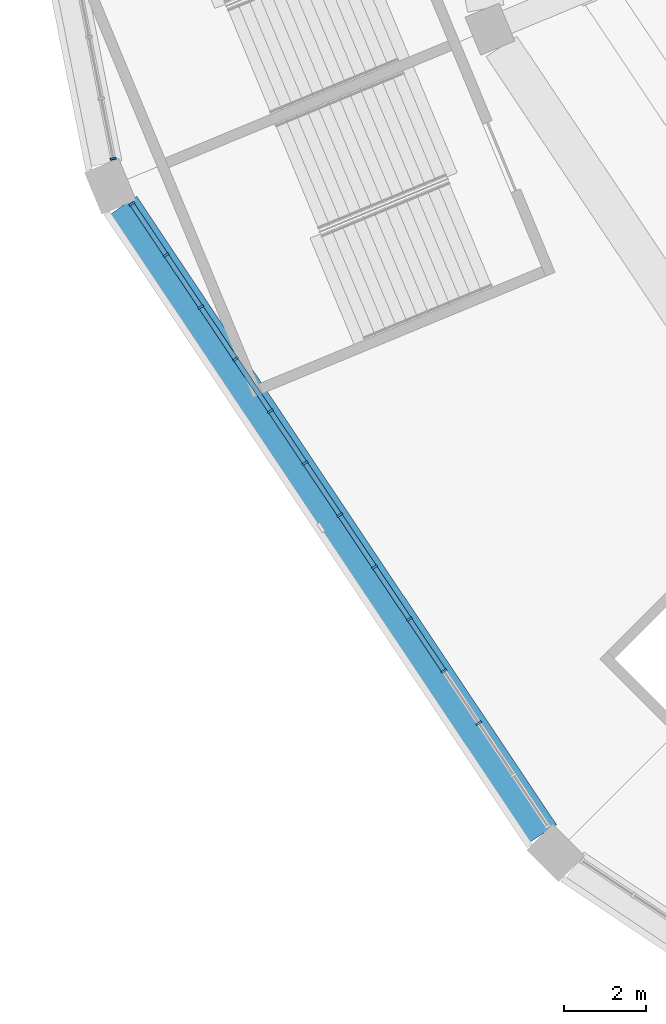
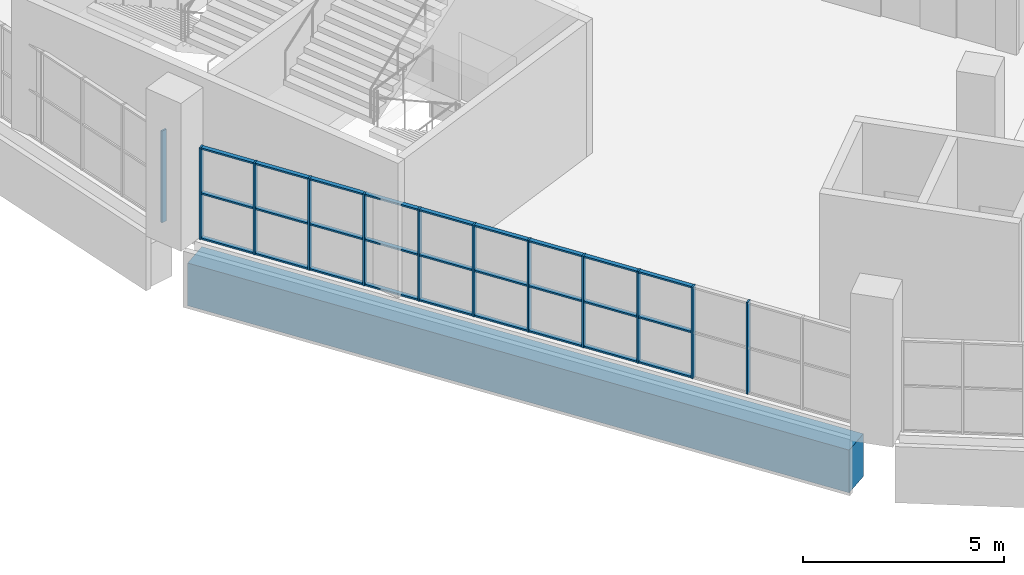
# One storey, part 3 of 249: 39 members, 1 beam, 2 elements without a shape of their own.
"""IFC4 building model written with IfcOpenShell, lengths in metres."""

from ifc_helpers import new_model, si_unit, direction, frame, origin, origin_2d, place, context, subcontext, project, spatial, rectangle, extrude, material, material_profile, profile_set, type_object, element, aggregate, save


model = new_model("IFC4")

# Units and contexts
model_context = context("Model", 3, precision=1e-05, world=origin(), true_north=direction((0.0, 1.0)))
body_context = subcontext(model_context, "Body", "Model", "MODEL_VIEW")
ifc_project = project(units=[si_unit("LENGTHUNIT", "METRE"), si_unit("AREAUNIT", "SQUARE_METRE"), si_unit("VOLUMEUNIT", "CUBIC_METRE"), si_unit("PLANEANGLEUNIT", "RADIAN"), si_unit("MASSUNIT", "GRAM", prefix="KILO")], contexts=[model_context])

# Site, building, storey
site_placement = place(None, origin())
site = spatial("IfcSite", under=ifc_project, at=site_placement, CompositionType="ELEMENT")
building_placement = place(site_placement, origin())
building = spatial("IfcBuilding", under=site, at=building_placement, Name="Ogive Plaza Stadium", CompositionType="ELEMENT")
storey_placement = place(building_placement, frame((0.0, 0.0, 13.5)))
storey = spatial("IfcBuildingStorey", under=building, at=storey_placement, Name="L03", CompositionType="ELEMENT", Elevation=13.5)

# Curtain wall, members
ifc_material_1 = material(Name="Bronze-anodised aluminium with laminated glass", Category="aluminium")
curtain_wall_type = type_object("IfcCurtainWallType", Name="Lancet curtain wall", PredefinedType="NOTDEFINED", material=ifc_material_1)
curtain_wall_1_placement = place(storey_placement, origin())
curtain_wall_1 = element("IfcCurtainWall", 1, at=curtain_wall_1_placement, inside=storey, type_object=curtain_wall_type, Name="CURTAIN WALL B19 L03", PredefinedType="NOTDEFINED")
ifc_material_2 = material(Name="Bronze-anodised aluminium", Category="aluminium")
ifc_material_profile_1 = material_profile(ifc_material_2, rectangle(XDim=0.14990234375, YDim=0.050048828125, at=origin_2d()), Name="AL 150x50")
ifc_profile_set_1 = profile_set([ifc_material_profile_1], Name="Bronze-anodised aluminium")
member_type_1 = type_object("IfcMemberType", Name="Curtain wall mullion 50x150", PredefinedType="MULLION", material=ifc_profile_set_1)
member_1_placement = place(storey_placement, frame((-71.225341796875, -84.69677734375, 0.0), z_axis=(0.0, 0.0, 1.0), x_axis=(-0.831469612303, -0.55557023302, 0.0)))
member_1 = element("IfcMember", 2, at=member_1_placement, type_object=member_type_1, Name="CW-B19-L03 mullion 3", PredefinedType="MULLION", context=body_context, shape_type="SweptSolid", body=[
    extrude(rectangle(XDim=0.14990234375, YDim=0.050048828125, at=origin_2d()), origin(), (0.0, 0.0, 1.0), 2.7900390625),
])
member_2_placement = place(storey_placement, frame((-72.071044921875, -83.430908203125, 0.0), z_axis=(0.0, 0.0, 1.0), x_axis=(-0.831469612303, -0.55557023302, 0.0)))
member_2 = element("IfcMember", 3, at=member_2_placement, type_object=member_type_1, Name="CW-B19-L03 mullion 4", PredefinedType="MULLION", context=body_context, shape_type="SweptSolid", body=[
    extrude(rectangle(XDim=0.14990234375, YDim=0.050048828125, at=origin_2d()), origin(), (0.0, 0.0, 1.0), 2.7900390625),
])
member_3_placement = place(storey_placement, frame((-72.916748046875, -82.165283203125, 0.0), z_axis=(0.0, 0.0, 1.0), x_axis=(-0.831469612303, -0.55557023302, 0.0)))
member_3 = element("IfcMember", 4, at=member_3_placement, type_object=member_type_1, Name="CW-B19-L03 mullion 5", PredefinedType="MULLION", context=body_context, shape_type="SweptSolid", body=[
    extrude(rectangle(XDim=0.14990234375, YDim=0.050048828125, at=origin_2d()), origin(), (0.0, 0.0, 1.0), 2.7900390625),
])
member_4_placement = place(storey_placement, frame((-73.7626953125, -80.8994140625, 0.0), z_axis=(0.0, 0.0, 1.0), x_axis=(-0.831469612303, -0.55557023302, 0.0)))
member_4 = element("IfcMember", 5, at=member_4_placement, type_object=member_type_1, Name="CW-B19-L03 mullion 6", PredefinedType="MULLION", context=body_context, shape_type="SweptSolid", body=[
    extrude(rectangle(XDim=0.14990234375, YDim=0.050048828125, at=origin_2d()), origin(), (0.0, 0.0, 1.0), 2.7900390625),
])
member_5_placement = place(storey_placement, frame((-74.6083984375, -79.633544921875, 0.0), z_axis=(0.0, 0.0, 1.0), x_axis=(-0.831469612303, -0.55557023302, 0.0)))
member_5 = element("IfcMember", 6, at=member_5_placement, type_object=member_type_1, Name="CW-B19-L03 mullion 7", PredefinedType="MULLION", context=body_context, shape_type="SweptSolid", body=[
    extrude(rectangle(XDim=0.14990234375, YDim=0.050048828125, at=origin_2d()), origin(), (0.0, 0.0, 1.0), 2.7900390625),
])
member_6_placement = place(storey_placement, frame((-75.4541015625, -78.367919921875, 0.0), z_axis=(0.0, 0.0, 1.0), x_axis=(-0.831469612303, -0.55557023302, 0.0)))
member_6 = element("IfcMember", 7, at=member_6_placement, type_object=member_type_1, Name="CW-B19-L03 mullion 8", PredefinedType="MULLION", context=body_context, shape_type="SweptSolid", body=[
    extrude(rectangle(XDim=0.14990234375, YDim=0.050048828125, at=origin_2d()), origin(), (0.0, 0.0, 1.0), 2.7900390625),
])
member_7_placement = place(storey_placement, frame((-76.2998046875, -77.10205078125, 0.0), z_axis=(0.0, 0.0, 1.0), x_axis=(-0.831469612303, -0.55557023302, 0.0)))
member_7 = element("IfcMember", 8, at=member_7_placement, type_object=member_type_1, Name="CW-B19-L03 mullion 9", PredefinedType="MULLION", context=body_context, shape_type="SweptSolid", body=[
    extrude(rectangle(XDim=0.14990234375, YDim=0.050048828125, at=origin_2d()), origin(), (0.0, 0.0, 1.0), 2.7900390625),
])
member_8_placement = place(storey_placement, frame((-77.145751953125, -75.836181640625, 0.0), z_axis=(0.0, 0.0, 1.0), x_axis=(-0.831469612303, -0.55557023302, 0.0)))
member_8 = element("IfcMember", 9, at=member_8_placement, type_object=member_type_1, Name="CW-B19-L03 mullion 10", PredefinedType="MULLION", context=body_context, shape_type="SweptSolid", body=[
    extrude(rectangle(XDim=0.14990234375, YDim=0.050048828125, at=origin_2d()), origin(), (0.0, 0.0, 1.0), 2.7900390625),
])
member_9_placement = place(storey_placement, frame((-77.991455078125, -74.570556640625, 0.0), z_axis=(0.0, 0.0, 1.0), x_axis=(-0.831469612303, -0.55557023302, 0.0)))
member_9 = element("IfcMember", 10, at=member_9_placement, type_object=member_type_1, Name="CW-B19-L03 mullion 11", PredefinedType="MULLION", context=body_context, shape_type="SweptSolid", body=[
    extrude(rectangle(XDim=0.14990234375, YDim=0.050048828125, at=origin_2d()), origin(), (0.0, 0.0, 1.0), 2.7900390625),
])
member_10_placement = place(storey_placement, frame((-78.837158203125, -73.3046875, 0.0), z_axis=(0.0, 0.0, 1.0), x_axis=(-0.831469612303, -0.55557023302, 0.0)))
member_10 = element("IfcMember", 11, at=member_10_placement, type_object=member_type_1, Name="CW-B19-L03 mullion 12", PredefinedType="MULLION", context=body_context, shape_type="SweptSolid", body=[
    extrude(rectangle(XDim=0.14990234375, YDim=0.050048828125, at=origin_2d()), origin(), (0.0, 0.0, 1.0), 2.7900390625),
])
member_11_placement = place(storey_placement, frame((-79.669189453125, -72.059814453125, 0.0), z_axis=(0.0, 0.0, 1.0), x_axis=(-0.831469612303, -0.55557023302, 0.0)))
member_11 = element("IfcMember", 12, at=member_11_placement, type_object=member_type_1, Name="CW-B19-L03 mullion 13", PredefinedType="MULLION", context=body_context, shape_type="SweptSolid", body=[
    extrude(rectangle(XDim=0.14990234375, YDim=0.050048828125, at=origin_2d()), origin(), (0.0, 0.0, 1.0), 2.7900390625),
])

# Curtain wall, member
curtain_wall_2_placement = place(storey_placement, origin())
curtain_wall_2 = element("IfcCurtainWall", 13, at=curtain_wall_2_placement, inside=storey, type_object=curtain_wall_type, Name="CURTAIN WALL B20 L03", PredefinedType="NOTDEFINED")
member_12_placement = place(storey_placement, frame((-80.123779296875, -70.962158203125, 0.0), z_axis=(0.0, 0.0, 1.0), x_axis=(-0.9807852804, -0.195090322033, 0.0)))
member_12 = element("IfcMember", 14, at=member_12_placement, type_object=member_type_1, Name="CW-B20-L03 mullion 1", PredefinedType="MULLION", context=body_context, shape_type="SweptSolid", body=[
    extrude(rectangle(XDim=0.14990234375, YDim=0.050048828125, at=origin_2d()), origin(), (0.0, 0.0, 1.0), 2.7900390625),
])
aggregate(curtain_wall_2, [member_12])

# Member
ifc_material_3 = material(Name="Bronze-anodised aluminium", Category="aluminium")
ifc_material_profile_2 = material_profile(ifc_material_3, rectangle(XDim=0.1201171875, YDim=0.050048828125, at=origin_2d()), Name="AL 120x50")
ifc_profile_set_2 = profile_set([ifc_material_profile_2], Name="Bronze-anodised aluminium")
member_type_2 = type_object("IfcMemberType", Name="Curtain wall transom 50x120", PredefinedType="USERDEFINED", material=ifc_profile_set_2)
member_13_placement = place(storey_placement, frame((-72.0849609375, -83.41015625, 0.02490234375), z_axis=(-0.555541835587, 0.831488586159, 0.0), x_axis=(-0.831488586159, -0.555541835587, 0.0)))
member_13 = element("IfcMember", 15, at=member_13_placement, type_object=member_type_2, Name="CW-B19-L03 transom 4.1", ObjectType="TRANSOM", PredefinedType="USERDEFINED", context=body_context, shape_type="SweptSolid", body=[
    extrude(rectangle(XDim=0.1201171875, YDim=0.050048828125, at=origin_2d()), origin(), (0.0, 0.0, 1.0), 1.47216796875),
])

member_14_placement = place(storey_placement, frame((-72.0849609375, -83.41015625, 1.39501953125), z_axis=(-0.555541835587, 0.831488586159, 0.0), x_axis=(-0.831488586159, -0.555541835587, 0.0)))
member_14 = element("IfcMember", 16, at=member_14_placement, type_object=member_type_2, Name="CW-B19-L03 transom 4.2", ObjectType="TRANSOM", PredefinedType="USERDEFINED", context=body_context, shape_type="SweptSolid", body=[
    extrude(rectangle(XDim=0.1201171875, YDim=0.050048828125, at=origin_2d()), origin(), (0.0, 0.0, 1.0), 1.47216796875),
])

member_15_placement = place(storey_placement, frame((-72.0849609375, -83.41015625, 2.764892578125), z_axis=(-0.555541835587, 0.831488586159, 0.0), x_axis=(-0.831488586159, -0.555541835587, 0.0)))
member_15 = element("IfcMember", 17, at=member_15_placement, type_object=member_type_2, Name="CW-B19-L03 transom 4.3", ObjectType="TRANSOM", PredefinedType="USERDEFINED", context=body_context, shape_type="SweptSolid", body=[
    extrude(rectangle(XDim=0.1201171875, YDim=0.050048828125, at=origin_2d()), origin(), (0.0, 0.0, 1.0), 1.47216796875),
])

member_16_placement = place(storey_placement, frame((-72.9306640625, -82.14453125, 0.02490234375), z_axis=(-0.555579876157, 0.831463168883, 0.0), x_axis=(-0.831463168883, -0.555579876157, 0.0)))
member_16 = element("IfcMember", 18, at=member_16_placement, type_object=member_type_2, Name="CW-B19-L03 transom 5.1", ObjectType="TRANSOM", PredefinedType="USERDEFINED", context=body_context, shape_type="SweptSolid", body=[
    extrude(rectangle(XDim=0.1201171875, YDim=0.050048828125, at=origin_2d()), origin(), (0.0, 0.0, 1.0), 1.47265625),
])

member_17_placement = place(storey_placement, frame((-72.9306640625, -82.14453125, 1.39501953125), z_axis=(-0.555579876157, 0.831463168883, 0.0), x_axis=(-0.831463168883, -0.555579876157, 0.0)))
member_17 = element("IfcMember", 19, at=member_17_placement, type_object=member_type_2, Name="CW-B19-L03 transom 5.2", ObjectType="TRANSOM", PredefinedType="USERDEFINED", context=body_context, shape_type="SweptSolid", body=[
    extrude(rectangle(XDim=0.1201171875, YDim=0.050048828125, at=origin_2d()), origin(), (0.0, 0.0, 1.0), 1.47265625),
])

member_18_placement = place(storey_placement, frame((-72.9306640625, -82.14453125, 2.764892578125), z_axis=(-0.555579876157, 0.831463168883, 0.0), x_axis=(-0.831463168883, -0.555579876157, 0.0)))
member_18 = element("IfcMember", 20, at=member_18_placement, type_object=member_type_2, Name="CW-B19-L03 transom 5.3", ObjectType="TRANSOM", PredefinedType="USERDEFINED", context=body_context, shape_type="SweptSolid", body=[
    extrude(rectangle(XDim=0.1201171875, YDim=0.050048828125, at=origin_2d()), origin(), (0.0, 0.0, 1.0), 1.47265625),
])

member_19_placement = place(storey_placement, frame((-73.7763671875, -80.878662109375, 0.02490234375), z_axis=(-0.555656472512, 0.831411982446, 0.0), x_axis=(-0.831411982446, -0.555656472512, 0.0)))
member_19 = element("IfcMember", 21, at=member_19_placement, type_object=member_type_2, Name="CW-B19-L03 transom 6.1", ObjectType="TRANSOM", PredefinedType="USERDEFINED", context=body_context, shape_type="SweptSolid", body=[
    extrude(rectangle(XDim=0.1201171875, YDim=0.050048828125, at=origin_2d()), origin(), (0.0, 0.0, 1.0), 1.472412109375),
])

member_20_placement = place(storey_placement, frame((-73.7763671875, -80.878662109375, 1.39501953125), z_axis=(-0.555656472512, 0.831411982446, 0.0), x_axis=(-0.831411982446, -0.555656472512, 0.0)))
member_20 = element("IfcMember", 22, at=member_20_placement, type_object=member_type_2, Name="CW-B19-L03 transom 6.2", ObjectType="TRANSOM", PredefinedType="USERDEFINED", context=body_context, shape_type="SweptSolid", body=[
    extrude(rectangle(XDim=0.1201171875, YDim=0.050048828125, at=origin_2d()), origin(), (0.0, 0.0, 1.0), 1.472412109375),
])

member_21_placement = place(storey_placement, frame((-73.7763671875, -80.878662109375, 2.764892578125), z_axis=(-0.555656472512, 0.831411982446, 0.0), x_axis=(-0.831411982446, -0.555656472512, 0.0)))
member_21 = element("IfcMember", 23, at=member_21_placement, type_object=member_type_2, Name="CW-B19-L03 transom 6.3", ObjectType="TRANSOM", PredefinedType="USERDEFINED", context=body_context, shape_type="SweptSolid", body=[
    extrude(rectangle(XDim=0.1201171875, YDim=0.050048828125, at=origin_2d()), origin(), (0.0, 0.0, 1.0), 1.472412109375),
])

member_22_placement = place(storey_placement, frame((-74.622314453125, -79.61279296875, 0.02490234375), z_axis=(-0.555541835587, 0.831488586159, 0.0), x_axis=(-0.831488586159, -0.555541835587, 0.0)))
member_22 = element("IfcMember", 24, at=member_22_placement, type_object=member_type_2, Name="CW-B19-L03 transom 7.1", ObjectType="TRANSOM", PredefinedType="USERDEFINED", context=body_context, shape_type="SweptSolid", body=[
    extrude(rectangle(XDim=0.1201171875, YDim=0.050048828125, at=origin_2d()), origin(), (0.0, 0.0, 1.0), 1.47216796875),
])

member_23_placement = place(storey_placement, frame((-74.622314453125, -79.61279296875, 1.39501953125), z_axis=(-0.555541835587, 0.831488586159, 0.0), x_axis=(-0.831488586159, -0.555541835587, 0.0)))
member_23 = element("IfcMember", 25, at=member_23_placement, type_object=member_type_2, Name="CW-B19-L03 transom 7.2", ObjectType="TRANSOM", PredefinedType="USERDEFINED", context=body_context, shape_type="SweptSolid", body=[
    extrude(rectangle(XDim=0.1201171875, YDim=0.050048828125, at=origin_2d()), origin(), (0.0, 0.0, 1.0), 1.47216796875),
])

member_24_placement = place(storey_placement, frame((-74.622314453125, -79.61279296875, 2.764892578125), z_axis=(-0.555541835587, 0.831488586159, 0.0), x_axis=(-0.831488586159, -0.555541835587, 0.0)))
member_24 = element("IfcMember", 26, at=member_24_placement, type_object=member_type_2, Name="CW-B19-L03 transom 7.3", ObjectType="TRANSOM", PredefinedType="USERDEFINED", context=body_context, shape_type="SweptSolid", body=[
    extrude(rectangle(XDim=0.1201171875, YDim=0.050048828125, at=origin_2d()), origin(), (0.0, 0.0, 1.0), 1.47216796875),
])

member_25_placement = place(storey_placement, frame((-75.468017578125, -78.34716796875, 0.02490234375), z_axis=(-0.555579876157, 0.831463168883, 0.0), x_axis=(-0.831463168883, -0.555579876157, 0.0)))
member_25 = element("IfcMember", 27, at=member_25_placement, type_object=member_type_2, Name="CW-B19-L03 transom 8.1", ObjectType="TRANSOM", PredefinedType="USERDEFINED", context=body_context, shape_type="SweptSolid", body=[
    extrude(rectangle(XDim=0.1201171875, YDim=0.050048828125, at=origin_2d()), origin(), (0.0, 0.0, 1.0), 1.47265625),
])

member_26_placement = place(storey_placement, frame((-75.468017578125, -78.34716796875, 1.39501953125), z_axis=(-0.555579876157, 0.831463168883, 0.0), x_axis=(-0.831463168883, -0.555579876157, 0.0)))
member_26 = element("IfcMember", 28, at=member_26_placement, type_object=member_type_2, Name="CW-B19-L03 transom 8.2", ObjectType="TRANSOM", PredefinedType="USERDEFINED", context=body_context, shape_type="SweptSolid", body=[
    extrude(rectangle(XDim=0.1201171875, YDim=0.050048828125, at=origin_2d()), origin(), (0.0, 0.0, 1.0), 1.47265625),
])

member_27_placement = place(storey_placement, frame((-75.468017578125, -78.34716796875, 2.764892578125), z_axis=(-0.555579876157, 0.831463168883, 0.0), x_axis=(-0.831463168883, -0.555579876157, 0.0)))
member_27 = element("IfcMember", 29, at=member_27_placement, type_object=member_type_2, Name="CW-B19-L03 transom 8.3", ObjectType="TRANSOM", PredefinedType="USERDEFINED", context=body_context, shape_type="SweptSolid", body=[
    extrude(rectangle(XDim=0.1201171875, YDim=0.050048828125, at=origin_2d()), origin(), (0.0, 0.0, 1.0), 1.47265625),
])

member_28_placement = place(storey_placement, frame((-76.313720703125, -77.081298828125, 0.02490234375), z_axis=(-0.555656472512, 0.831411982446, 0.0), x_axis=(-0.831411982446, -0.555656472512, 0.0)))
member_28 = element("IfcMember", 30, at=member_28_placement, type_object=member_type_2, Name="CW-B19-L03 transom 9.1", ObjectType="TRANSOM", PredefinedType="USERDEFINED", context=body_context, shape_type="SweptSolid", body=[
    extrude(rectangle(XDim=0.1201171875, YDim=0.050048828125, at=origin_2d()), origin(), (0.0, 0.0, 1.0), 1.472412109375),
])

member_29_placement = place(storey_placement, frame((-76.313720703125, -77.081298828125, 1.39501953125), z_axis=(-0.555656472512, 0.831411982446, 0.0), x_axis=(-0.831411982446, -0.555656472512, 0.0)))
member_29 = element("IfcMember", 31, at=member_29_placement, type_object=member_type_2, Name="CW-B19-L03 transom 9.2", ObjectType="TRANSOM", PredefinedType="USERDEFINED", context=body_context, shape_type="SweptSolid", body=[
    extrude(rectangle(XDim=0.1201171875, YDim=0.050048828125, at=origin_2d()), origin(), (0.0, 0.0, 1.0), 1.472412109375),
])

member_30_placement = place(storey_placement, frame((-76.313720703125, -77.081298828125, 2.764892578125), z_axis=(-0.555656472512, 0.831411982446, 0.0), x_axis=(-0.831411982446, -0.555656472512, 0.0)))
member_30 = element("IfcMember", 32, at=member_30_placement, type_object=member_type_2, Name="CW-B19-L03 transom 9.3", ObjectType="TRANSOM", PredefinedType="USERDEFINED", context=body_context, shape_type="SweptSolid", body=[
    extrude(rectangle(XDim=0.1201171875, YDim=0.050048828125, at=origin_2d()), origin(), (0.0, 0.0, 1.0), 1.472412109375),
])

member_31_placement = place(storey_placement, frame((-77.15966796875, -75.8154296875, 0.02490234375), z_axis=(-0.555541835587, 0.831488586159, 0.0), x_axis=(-0.831488586159, -0.555541835587, 0.0)))
member_31 = element("IfcMember", 33, at=member_31_placement, type_object=member_type_2, Name="CW-B19-L03 transom 10.1", ObjectType="TRANSOM", PredefinedType="USERDEFINED", context=body_context, shape_type="SweptSolid", body=[
    extrude(rectangle(XDim=0.1201171875, YDim=0.050048828125, at=origin_2d()), origin(), (0.0, 0.0, 1.0), 1.47216796875),
])

member_32_placement = place(storey_placement, frame((-77.15966796875, -75.8154296875, 1.39501953125), z_axis=(-0.555541835587, 0.831488586159, 0.0), x_axis=(-0.831488586159, -0.555541835587, 0.0)))
member_32 = element("IfcMember", 34, at=member_32_placement, type_object=member_type_2, Name="CW-B19-L03 transom 10.2", ObjectType="TRANSOM", PredefinedType="USERDEFINED", context=body_context, shape_type="SweptSolid", body=[
    extrude(rectangle(XDim=0.1201171875, YDim=0.050048828125, at=origin_2d()), origin(), (0.0, 0.0, 1.0), 1.47216796875),
])

member_33_placement = place(storey_placement, frame((-77.15966796875, -75.8154296875, 2.764892578125), z_axis=(-0.555541835587, 0.831488586159, 0.0), x_axis=(-0.831488586159, -0.555541835587, 0.0)))
member_33 = element("IfcMember", 35, at=member_33_placement, type_object=member_type_2, Name="CW-B19-L03 transom 10.3", ObjectType="TRANSOM", PredefinedType="USERDEFINED", context=body_context, shape_type="SweptSolid", body=[
    extrude(rectangle(XDim=0.1201171875, YDim=0.050048828125, at=origin_2d()), origin(), (0.0, 0.0, 1.0), 1.47216796875),
])

member_34_placement = place(storey_placement, frame((-78.00537109375, -74.5498046875, 0.02490234375), z_axis=(-0.555465240925, 0.83153975619, 0.0), x_axis=(-0.83153975619, -0.555465240925, 0.0)))
member_34 = element("IfcMember", 36, at=member_34_placement, type_object=member_type_2, Name="CW-B19-L03 transom 11.1", ObjectType="TRANSOM", PredefinedType="USERDEFINED", context=body_context, shape_type="SweptSolid", body=[
    extrude(rectangle(XDim=0.1201171875, YDim=0.050048828125, at=origin_2d()), origin(), (0.0, 0.0, 1.0), 1.472412109375),
])

member_35_placement = place(storey_placement, frame((-78.00537109375, -74.5498046875, 1.39501953125), z_axis=(-0.555465240925, 0.83153975619, 0.0), x_axis=(-0.83153975619, -0.555465240925, 0.0)))
member_35 = element("IfcMember", 37, at=member_35_placement, type_object=member_type_2, Name="CW-B19-L03 transom 11.2", ObjectType="TRANSOM", PredefinedType="USERDEFINED", context=body_context, shape_type="SweptSolid", body=[
    extrude(rectangle(XDim=0.1201171875, YDim=0.050048828125, at=origin_2d()), origin(), (0.0, 0.0, 1.0), 1.472412109375),
])

member_36_placement = place(storey_placement, frame((-78.00537109375, -74.5498046875, 2.764892578125), z_axis=(-0.555465240925, 0.83153975619, 0.0), x_axis=(-0.83153975619, -0.555465240925, 0.0)))
member_36 = element("IfcMember", 38, at=member_36_placement, type_object=member_type_2, Name="CW-B19-L03 transom 11.3", ObjectType="TRANSOM", PredefinedType="USERDEFINED", context=body_context, shape_type="SweptSolid", body=[
    extrude(rectangle(XDim=0.1201171875, YDim=0.050048828125, at=origin_2d()), origin(), (0.0, 0.0, 1.0), 1.472412109375),
])

member_37_placement = place(storey_placement, frame((-78.85107421875, -73.283935546875, 0.02490234375), z_axis=(-0.555634077892, 0.831426948977, 0.0), x_axis=(-0.831426948977, -0.555634077892, 0.0)))
member_37 = element("IfcMember", 39, at=member_37_placement, type_object=member_type_2, Name="CW-B19-L03 transom 12.1", ObjectType="TRANSOM", PredefinedType="USERDEFINED", context=body_context, shape_type="SweptSolid", body=[
    extrude(rectangle(XDim=0.1201171875, YDim=0.050048828125, at=origin_2d()), origin(), (0.0, 0.0, 1.0), 1.447265625),
])

member_38_placement = place(storey_placement, frame((-78.85107421875, -73.283935546875, 1.39501953125), z_axis=(-0.555634077892, 0.831426948977, 0.0), x_axis=(-0.831426948977, -0.555634077892, 0.0)))
member_38 = element("IfcMember", 40, at=member_38_placement, type_object=member_type_2, Name="CW-B19-L03 transom 12.2", ObjectType="TRANSOM", PredefinedType="USERDEFINED", context=body_context, shape_type="SweptSolid", body=[
    extrude(rectangle(XDim=0.1201171875, YDim=0.050048828125, at=origin_2d()), origin(), (0.0, 0.0, 1.0), 1.447265625),
])

member_39_placement = place(storey_placement, frame((-78.85107421875, -73.283935546875, 2.764892578125), z_axis=(-0.555634077892, 0.831426948977, 0.0), x_axis=(-0.831426948977, -0.555634077892, 0.0)))
member_39 = element("IfcMember", 41, at=member_39_placement, type_object=member_type_2, Name="CW-B19-L03 transom 12.3", ObjectType="TRANSOM", PredefinedType="USERDEFINED", context=body_context, shape_type="SweptSolid", body=[
    extrude(rectangle(XDim=0.1201171875, YDim=0.050048828125, at=origin_2d()), origin(), (0.0, 0.0, 1.0), 1.447265625),
])

aggregate(curtain_wall_1, [member_1, member_2, member_3, member_4, member_5, member_6, member_7, member_8, member_9, member_10, member_11, member_13, member_14, member_15, member_16, member_17, member_18, member_19, member_20, member_21, member_22, member_23, member_24, member_25, member_26, member_27, member_28, member_29, member_30, member_31, member_32, member_33, member_34, member_35, member_36, member_37, member_38, member_39])

# Beam
ifc_material_4 = material(Name="Concrete C40/50", Category="concrete")
ifc_material_profile_3 = material_profile(ifc_material_4, rectangle(XDim=0.800048828125, YDim=1.300048828125, at=origin_2d()), Name="RC 800x1300")
ifc_profile_set_3 = profile_set([ifc_material_profile_3], Name="Concrete C40/50")
beam_type = type_object("IfcBeamType", Name="RC spandrel beam 800x1300", PredefinedType="SPANDREL", material=ifc_profile_set_3)
beam_placement = place(storey_placement, frame((-69.6669921875, -87.38916015625, -1.06005859375), z_axis=(-0.555557833169, 0.831477897484, 0.0), x_axis=(-0.831477897484, -0.555557833169, 0.0)))
element("IfcBeam", 42, at=beam_placement, inside=storey, type_object=beam_type, Name="Ring beam F5 L03 B19", PredefinedType="SPANDREL", context=body_context, shape_type="SweptSolid", body=[
    extrude(rectangle(XDim=0.800048828125, YDim=1.300048828125, at=origin_2d()), origin(), (0.0, 0.0, 1.0), 18.387451171875),
])

save(model, "model.ifc")
